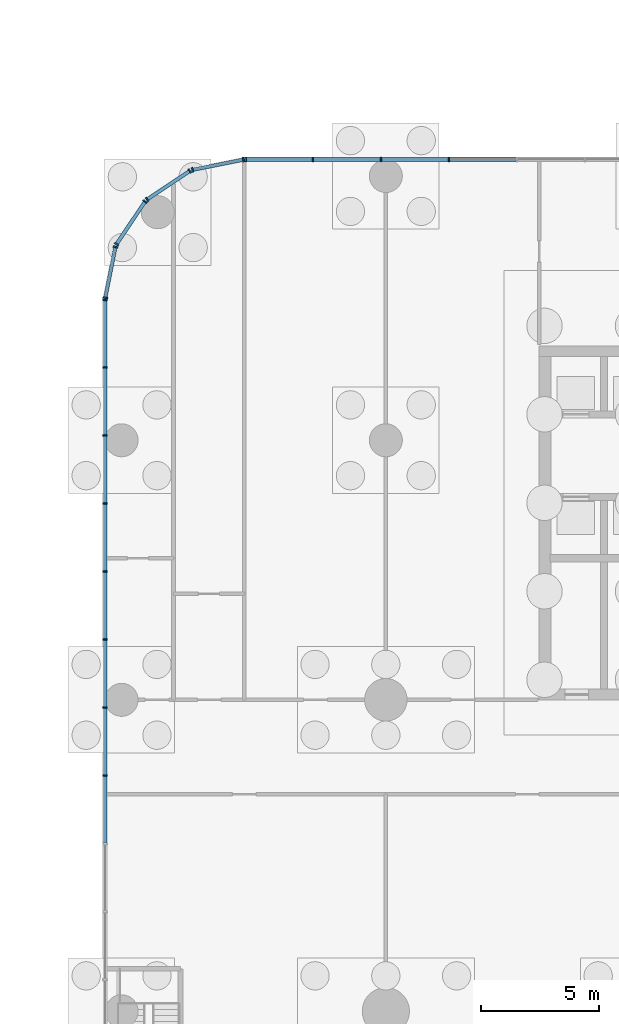
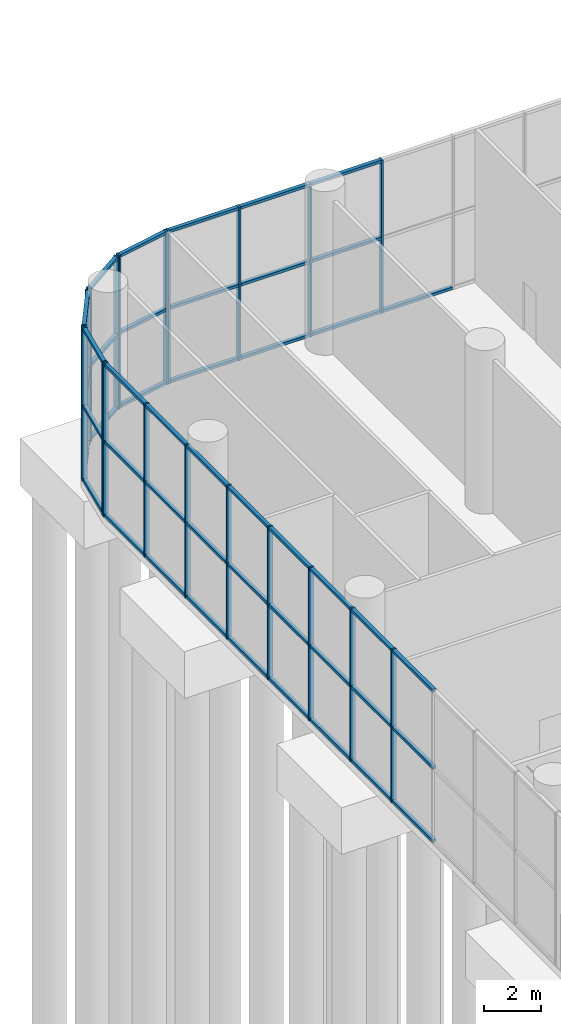
# One storey, part 7 of 26: 66 members, 6 elements without a shape of their own.
"""IFC4 building model written with IfcOpenShell, lengths in metres."""

from ifc_helpers import new_model, si_unit, direction, frame, origin, origin_2d, place, context, subcontext, project, spatial, rectangle, extrude, material, layer, layer_set, material_profile, profile_set, type_object, element, aggregate, save


model = new_model("IFC4")

# Units and contexts
model_context = context("Model", 3, precision=1e-05, world=origin(), true_north=direction((0.0, 1.0)))
body_context = subcontext(model_context, "Body", "Model", "MODEL_VIEW")
ifc_project = project(units=[si_unit("LENGTHUNIT", "METRE"), si_unit("AREAUNIT", "SQUARE_METRE"), si_unit("VOLUMEUNIT", "CUBIC_METRE"), si_unit("PLANEANGLEUNIT", "RADIAN"), si_unit("MASSUNIT", "GRAM", prefix="KILO")], contexts=[model_context])

# Site, building, storey
site_placement = place(None, origin())
site = spatial("IfcSite", under=ifc_project, at=site_placement, CompositionType="ELEMENT")
building_placement = place(site_placement, origin())
building = spatial("IfcBuilding", under=site, at=building_placement, Name="Torana Hotel and Residences", CompositionType="ELEMENT")
storey_placement = place(building_placement, origin())
storey = spatial("IfcBuildingStorey", under=building, at=storey_placement, Name="L00", CompositionType="ELEMENT", Elevation=0.0)

# Curtain wall, members
ifc_material_1 = material(Name="Dark anodised aluminium", Category="aluminium")
ifc_layer = layer(ifc_material_1, 0.199951171875)
ifc_layer_set = layer_set([ifc_layer], Name="CW1 PODIUM SHOPFRONT CURTAIN WALL")
curtain_wall_type = type_object("IfcCurtainWallType", Name="CW1 PODIUM SHOPFRONT CURTAIN WALL", PredefinedType="NOTDEFINED", material=ifc_layer_set)
curtain_wall_1_placement = place(storey_placement, origin())
curtain_wall_1 = element("IfcCurtainWall", 1, at=curtain_wall_1_placement, inside=storey, type_object=curtain_wall_type, Name="Curtain wall CW1 L00 e0.2-1", PredefinedType="NOTDEFINED")
ifc_material_2 = material(Name="Dark anodised aluminium", Category="aluminium")
ifc_material_profile_1 = material_profile(ifc_material_2, rectangle(XDim=0.199951171875, YDim=0.070068359375, at=origin_2d()), Name="CW1 MULLION 70x200")
ifc_profile_set_1 = profile_set([ifc_material_profile_1], Name="Dark anodised aluminium")
member_type_1 = type_object("IfcMemberType", Name="CW1 MULLION 70x200", PredefinedType="MULLION", material=ifc_profile_set_1)
member_1_placement = place(storey_placement, frame((-33.322998046875, 7.89990234375, 0.0), z_axis=(0.0, 0.0, 1.0), x_axis=(0.0, -1.0, 0.0)))
member_1 = element("IfcMember", 2, at=member_1_placement, type_object=member_type_1, Name="CW1 mullion 9", PredefinedType="MULLION", context=body_context, shape_type="SweptSolid", body=[
    extrude(rectangle(XDim=0.199951171875, YDim=0.070068359375, at=origin_2d()), origin(), (0.0, 0.0, 1.0), 6.550048828125),
])
member_2_placement = place(storey_placement, frame((-36.20703125, 7.89990234375, 0.0), z_axis=(0.0, 0.0, 1.0), x_axis=(0.0, -1.0, 0.0)))
member_2 = element("IfcMember", 3, at=member_2_placement, type_object=member_type_1, Name="CW1 mullion 10", PredefinedType="MULLION", context=body_context, shape_type="SweptSolid", body=[
    extrude(rectangle(XDim=0.199951171875, YDim=0.070068359375, at=origin_2d()), origin(), (0.0, 0.0, 1.0), 6.550048828125),
])
member_3_placement = place(storey_placement, frame((-39.09130859375, 7.89990234375, 0.0), z_axis=(0.0, 0.0, 1.0), x_axis=(0.0, -1.0, 0.0)))
member_3 = element("IfcMember", 4, at=member_3_placement, type_object=member_type_1, Name="CW1 mullion 11", PredefinedType="MULLION", context=body_context, shape_type="SweptSolid", body=[
    extrude(rectangle(XDim=0.199951171875, YDim=0.070068359375, at=origin_2d()), origin(), (0.0, 0.0, 1.0), 6.550048828125),
])
member_4_placement = place(storey_placement, frame((-41.9404296875, 7.89990234375, 0.0), z_axis=(0.0, 0.0, 1.0), x_axis=(0.0, -1.0, 0.0)))
member_4 = element("IfcMember", 5, at=member_4_placement, type_object=member_type_1, Name="CW1 mullion 12", PredefinedType="MULLION", context=body_context, shape_type="SweptSolid", body=[
    extrude(rectangle(XDim=0.199951171875, YDim=0.070068359375, at=origin_2d()), origin(), (0.0, 0.0, 1.0), 6.550048828125),
])

curtain_wall_2_placement = place(storey_placement, origin())
curtain_wall_2 = element("IfcCurtainWall", 6, at=curtain_wall_2_placement, inside=storey, type_object=curtain_wall_type, Name="Curtain wall CW1 L00 e0.3-1", PredefinedType="NOTDEFINED")
member_5_placement = place(storey_placement, frame((-42.038818359375, 7.890380859375, 0.0), z_axis=(0.0, 0.0, 1.0), x_axis=(0.195080996415, -0.980787135335, 0.0)))
member_5 = element("IfcMember", 7, at=member_5_placement, type_object=member_type_1, Name="CW1 mullion 1", PredefinedType="MULLION", context=body_context, shape_type="SweptSolid", body=[
    extrude(rectangle(XDim=0.199951171875, YDim=0.070068359375, at=origin_2d()), origin(), (0.0, 0.0, 1.0), 6.550048828125),
])
member_6_placement = place(storey_placement, frame((-44.193359375, 7.461669921875, 0.0), z_axis=(0.0, 0.0, 1.0), x_axis=(0.195080996415, -0.980787135335, 0.0)))
member_6 = element("IfcMember", 8, at=member_6_placement, type_object=member_type_1, Name="CW1 mullion 2", PredefinedType="MULLION", context=body_context, shape_type="SweptSolid", body=[
    extrude(rectangle(XDim=0.199951171875, YDim=0.070068359375, at=origin_2d()), origin(), (0.0, 0.0, 1.0), 6.550048828125),
])

curtain_wall_3_placement = place(storey_placement, origin())
curtain_wall_3 = element("IfcCurtainWall", 9, at=curtain_wall_3_placement, inside=storey, type_object=curtain_wall_type, Name="Curtain wall CW1 L00 e0.4-1", PredefinedType="NOTDEFINED")
member_7_placement = place(storey_placement, frame((-44.31103515625, 7.4130859375, 0.0), z_axis=(0.0, 0.0, 1.0), x_axis=(0.555585238723, -0.831459585616, 0.0)))
member_7 = element("IfcMember", 10, at=member_7_placement, type_object=member_type_1, Name="CW1 mullion 1", PredefinedType="MULLION", context=body_context, shape_type="SweptSolid", body=[
    extrude(rectangle(XDim=0.199951171875, YDim=0.070068359375, at=origin_2d()), origin(), (0.0, 0.0, 1.0), 6.550048828125),
])
member_8_placement = place(storey_placement, frame((-46.11669921875, 6.20654296875, 0.0), z_axis=(0.0, 0.0, 1.0), x_axis=(0.555585238723, -0.831459585616, 0.0)))
member_8 = element("IfcMember", 11, at=member_8_placement, type_object=member_type_1, Name="CW1 mullion 2", PredefinedType="MULLION", context=body_context, shape_type="SweptSolid", body=[
    extrude(rectangle(XDim=0.199951171875, YDim=0.070068359375, at=origin_2d()), origin(), (0.0, 0.0, 1.0), 6.550048828125),
])

curtain_wall_4_placement = place(storey_placement, origin())
curtain_wall_4 = element("IfcCurtainWall", 12, at=curtain_wall_4_placement, inside=storey, type_object=curtain_wall_type, Name="Curtain wall CW1 L00 e0.5-1", PredefinedType="NOTDEFINED")
member_9_placement = place(storey_placement, frame((-46.20654296875, 6.11669921875, 0.0), z_axis=(0.0, 0.0, 1.0), x_axis=(0.831459585616, -0.555585238723, 0.0)))
member_9 = element("IfcMember", 13, at=member_9_placement, type_object=member_type_1, Name="CW1 mullion 1", PredefinedType="MULLION", context=body_context, shape_type="SweptSolid", body=[
    extrude(rectangle(XDim=0.199951171875, YDim=0.070068359375, at=origin_2d()), origin(), (0.0, 0.0, 1.0), 6.550048828125),
])
member_10_placement = place(storey_placement, frame((-47.4130859375, 4.31103515625, 0.0), z_axis=(0.0, 0.0, 1.0), x_axis=(0.831459585616, -0.555585238723, 0.0)))
member_10 = element("IfcMember", 14, at=member_10_placement, type_object=member_type_1, Name="CW1 mullion 2", PredefinedType="MULLION", context=body_context, shape_type="SweptSolid", body=[
    extrude(rectangle(XDim=0.199951171875, YDim=0.070068359375, at=origin_2d()), origin(), (0.0, 0.0, 1.0), 6.550048828125),
])

curtain_wall_5_placement = place(storey_placement, origin())
curtain_wall_5 = element("IfcCurtainWall", 15, at=curtain_wall_5_placement, inside=storey, type_object=curtain_wall_type, Name="Curtain wall CW1 L00 e0.6-1", PredefinedType="NOTDEFINED")
member_11_placement = place(storey_placement, frame((-47.461669921875, 4.193359375, 0.0), z_axis=(0.0, 0.0, 1.0), x_axis=(0.980787135335, -0.195080996415, 0.0)))
member_11 = element("IfcMember", 16, at=member_11_placement, type_object=member_type_1, Name="CW1 mullion 1", PredefinedType="MULLION", context=body_context, shape_type="SweptSolid", body=[
    extrude(rectangle(XDim=0.199951171875, YDim=0.070068359375, at=origin_2d()), origin(), (0.0, 0.0, 1.0), 6.550048828125),
])
member_12_placement = place(storey_placement, frame((-47.890380859375, 2.038818359375, 0.0), z_axis=(0.0, 0.0, 1.0), x_axis=(0.980787135335, -0.195080996415, 0.0)))
member_12 = element("IfcMember", 17, at=member_12_placement, type_object=member_type_1, Name="CW1 mullion 2", PredefinedType="MULLION", context=body_context, shape_type="SweptSolid", body=[
    extrude(rectangle(XDim=0.199951171875, YDim=0.070068359375, at=origin_2d()), origin(), (0.0, 0.0, 1.0), 6.550048828125),
])

curtain_wall_6_placement = place(storey_placement, origin())
curtain_wall_6 = element("IfcCurtainWall", 18, at=curtain_wall_6_placement, inside=storey, type_object=curtain_wall_type, Name="Curtain wall CW1 L00 e0.7-1", PredefinedType="NOTDEFINED")
member_13_placement = place(storey_placement, frame((-47.89990234375, 1.9404296875, 0.0), z_axis=(0.0, 0.0, 1.0), x_axis=(1.0, 0.0, 0.0)))
member_13 = element("IfcMember", 19, at=member_13_placement, type_object=member_type_1, Name="CW1 mullion 1", PredefinedType="MULLION", context=body_context, shape_type="SweptSolid", body=[
    extrude(rectangle(XDim=0.199951171875, YDim=0.070068359375, at=origin_2d()), origin(), (0.0, 0.0, 1.0), 6.550048828125),
])
member_14_placement = place(storey_placement, frame((-47.89990234375, -0.90869140625, 0.0), z_axis=(0.0, 0.0, 1.0), x_axis=(1.0, 0.0, 0.0)))
member_14 = element("IfcMember", 20, at=member_14_placement, type_object=member_type_1, Name="CW1 mullion 2", PredefinedType="MULLION", context=body_context, shape_type="SweptSolid", body=[
    extrude(rectangle(XDim=0.199951171875, YDim=0.070068359375, at=origin_2d()), origin(), (0.0, 0.0, 1.0), 6.550048828125),
])
member_15_placement = place(storey_placement, frame((-47.89990234375, -3.79296875, 0.0), z_axis=(0.0, 0.0, 1.0), x_axis=(1.0, 0.0, 0.0)))
member_15 = element("IfcMember", 21, at=member_15_placement, type_object=member_type_1, Name="CW1 mullion 3", PredefinedType="MULLION", context=body_context, shape_type="SweptSolid", body=[
    extrude(rectangle(XDim=0.199951171875, YDim=0.070068359375, at=origin_2d()), origin(), (0.0, 0.0, 1.0), 6.550048828125),
])
member_16_placement = place(storey_placement, frame((-47.89990234375, -6.677001953125, 0.0), z_axis=(0.0, 0.0, 1.0), x_axis=(1.0, 0.0, 0.0)))
member_16 = element("IfcMember", 22, at=member_16_placement, type_object=member_type_1, Name="CW1 mullion 4", PredefinedType="MULLION", context=body_context, shape_type="SweptSolid", body=[
    extrude(rectangle(XDim=0.199951171875, YDim=0.070068359375, at=origin_2d()), origin(), (0.0, 0.0, 1.0), 6.550048828125),
])
member_17_placement = place(storey_placement, frame((-47.89990234375, -9.56103515625, 0.0), z_axis=(0.0, 0.0, 1.0), x_axis=(1.0, 0.0, 0.0)))
member_17 = element("IfcMember", 23, at=member_17_placement, type_object=member_type_1, Name="CW1 mullion 5", PredefinedType="MULLION", context=body_context, shape_type="SweptSolid", body=[
    extrude(rectangle(XDim=0.199951171875, YDim=0.070068359375, at=origin_2d()), origin(), (0.0, 0.0, 1.0), 6.550048828125),
])
member_18_placement = place(storey_placement, frame((-47.89990234375, -12.4453125, 0.0), z_axis=(0.0, 0.0, 1.0), x_axis=(1.0, 0.0, 0.0)))
member_18 = element("IfcMember", 24, at=member_18_placement, type_object=member_type_1, Name="CW1 mullion 6", PredefinedType="MULLION", context=body_context, shape_type="SweptSolid", body=[
    extrude(rectangle(XDim=0.199951171875, YDim=0.070068359375, at=origin_2d()), origin(), (0.0, 0.0, 1.0), 6.550048828125),
])
member_19_placement = place(storey_placement, frame((-47.89990234375, -15.329345703125, 0.0), z_axis=(0.0, 0.0, 1.0), x_axis=(1.0, 0.0, 0.0)))
member_19 = element("IfcMember", 25, at=member_19_placement, type_object=member_type_1, Name="CW1 mullion 7", PredefinedType="MULLION", context=body_context, shape_type="SweptSolid", body=[
    extrude(rectangle(XDim=0.199951171875, YDim=0.070068359375, at=origin_2d()), origin(), (0.0, 0.0, 1.0), 6.550048828125),
])
member_20_placement = place(storey_placement, frame((-47.89990234375, -18.21337890625, 0.0), z_axis=(0.0, 0.0, 1.0), x_axis=(1.0, 0.0, 0.0)))
member_20 = element("IfcMember", 26, at=member_20_placement, type_object=member_type_1, Name="CW1 mullion 8", PredefinedType="MULLION", context=body_context, shape_type="SweptSolid", body=[
    extrude(rectangle(XDim=0.199951171875, YDim=0.070068359375, at=origin_2d()), origin(), (0.0, 0.0, 1.0), 6.550048828125),
])

# Member
ifc_material_3 = material(Name="Dark anodised aluminium", Category="aluminium")
ifc_material_profile_2 = material_profile(ifc_material_3, rectangle(XDim=0.14990234375, YDim=0.1201171875, at=origin_2d()), Name="CW1 TRANSOM 150x120")
ifc_profile_set_2 = profile_set([ifc_material_profile_2], Name="Dark anodised aluminium")
member_type_2 = type_object("IfcMemberType", Name="CW1 TRANSOM 150x120", PredefinedType="USERDEFINED", material=ifc_profile_set_2)
member_21_placement = place(storey_placement, frame((-30.473876953125, 7.89990234375, 0.06005859375), z_axis=(-1.0, 0.0, 0.0), x_axis=(0.0, -1.0, 0.0)))
member_21 = element("IfcMember", 27, at=member_21_placement, type_object=member_type_2, Name="CW1 transom 8.1", ObjectType="TRANSOM", PredefinedType="USERDEFINED", context=body_context, shape_type="SweptSolid", body=[
    extrude(rectangle(XDim=0.14990234375, YDim=0.1201171875, at=origin_2d()), origin(), (0.0, 0.0, 1.0), 2.814208984375),
])

member_22_placement = place(storey_placement, frame((-33.35791015625, 7.89990234375, 0.06005859375), z_axis=(-1.0, 0.0, 0.0), x_axis=(0.0, -1.0, 0.0)))
member_22 = element("IfcMember", 28, at=member_22_placement, type_object=member_type_2, Name="CW1 transom 9.1", ObjectType="TRANSOM", PredefinedType="USERDEFINED", context=body_context, shape_type="SweptSolid", body=[
    extrude(rectangle(XDim=0.14990234375, YDim=0.1201171875, at=origin_2d()), origin(), (0.0, 0.0, 1.0), 2.814208984375),
])

member_23_placement = place(storey_placement, frame((-33.35791015625, 7.89990234375, 3.199951171875), z_axis=(-1.0, 0.0, 0.0), x_axis=(0.0, -1.0, 0.0)))
member_23 = element("IfcMember", 29, at=member_23_placement, type_object=member_type_2, Name="CW1 transom 9.2", ObjectType="TRANSOM", PredefinedType="USERDEFINED", context=body_context, shape_type="SweptSolid", body=[
    extrude(rectangle(XDim=0.14990234375, YDim=0.1201171875, at=origin_2d()), origin(), (0.0, 0.0, 1.0), 2.814208984375),
])

member_24_placement = place(storey_placement, frame((-33.35791015625, 7.89990234375, 6.489990234375), z_axis=(-1.0, 0.0, 0.0), x_axis=(0.0, -1.0, 0.0)))
member_24 = element("IfcMember", 30, at=member_24_placement, type_object=member_type_2, Name="CW1 transom 9.3", ObjectType="TRANSOM", PredefinedType="USERDEFINED", context=body_context, shape_type="SweptSolid", body=[
    extrude(rectangle(XDim=0.14990234375, YDim=0.1201171875, at=origin_2d()), origin(), (0.0, 0.0, 1.0), 2.814208984375),
])

member_25_placement = place(storey_placement, frame((-36.2421875, 7.89990234375, 0.06005859375), z_axis=(-1.0, 0.0, 0.0), x_axis=(0.0, -1.0, 0.0)))
member_25 = element("IfcMember", 31, at=member_25_placement, type_object=member_type_2, Name="CW1 transom 10.1", ObjectType="TRANSOM", PredefinedType="USERDEFINED", context=body_context, shape_type="SweptSolid", body=[
    extrude(rectangle(XDim=0.14990234375, YDim=0.1201171875, at=origin_2d()), origin(), (0.0, 0.0, 1.0), 2.81396484375),
])

member_26_placement = place(storey_placement, frame((-36.2421875, 7.89990234375, 3.199951171875), z_axis=(-1.0, 0.0, 0.0), x_axis=(0.0, -1.0, 0.0)))
member_26 = element("IfcMember", 32, at=member_26_placement, type_object=member_type_2, Name="CW1 transom 10.2", ObjectType="TRANSOM", PredefinedType="USERDEFINED", context=body_context, shape_type="SweptSolid", body=[
    extrude(rectangle(XDim=0.14990234375, YDim=0.1201171875, at=origin_2d()), origin(), (0.0, 0.0, 1.0), 2.81396484375),
])

member_27_placement = place(storey_placement, frame((-36.2421875, 7.89990234375, 6.489990234375), z_axis=(-1.0, 0.0, 0.0), x_axis=(0.0, -1.0, 0.0)))
member_27 = element("IfcMember", 33, at=member_27_placement, type_object=member_type_2, Name="CW1 transom 10.3", ObjectType="TRANSOM", PredefinedType="USERDEFINED", context=body_context, shape_type="SweptSolid", body=[
    extrude(rectangle(XDim=0.14990234375, YDim=0.1201171875, at=origin_2d()), origin(), (0.0, 0.0, 1.0), 2.81396484375),
])

member_28_placement = place(storey_placement, frame((-39.126220703125, 7.89990234375, 0.06005859375), z_axis=(-1.0, 0.0, 0.0), x_axis=(0.0, -1.0, 0.0)))
member_28 = element("IfcMember", 34, at=member_28_placement, type_object=member_type_2, Name="CW1 transom 11.1", ObjectType="TRANSOM", PredefinedType="USERDEFINED", context=body_context, shape_type="SweptSolid", body=[
    extrude(rectangle(XDim=0.14990234375, YDim=0.1201171875, at=origin_2d()), origin(), (0.0, 0.0, 1.0), 2.779296875),
])

member_29_placement = place(storey_placement, frame((-39.126220703125, 7.89990234375, 3.199951171875), z_axis=(-1.0, 0.0, 0.0), x_axis=(0.0, -1.0, 0.0)))
member_29 = element("IfcMember", 35, at=member_29_placement, type_object=member_type_2, Name="CW1 transom 11.2", ObjectType="TRANSOM", PredefinedType="USERDEFINED", context=body_context, shape_type="SweptSolid", body=[
    extrude(rectangle(XDim=0.14990234375, YDim=0.1201171875, at=origin_2d()), origin(), (0.0, 0.0, 1.0), 2.779296875),
])

member_30_placement = place(storey_placement, frame((-39.126220703125, 7.89990234375, 6.489990234375), z_axis=(-1.0, 0.0, 0.0), x_axis=(0.0, -1.0, 0.0)))
member_30 = element("IfcMember", 36, at=member_30_placement, type_object=member_type_2, Name="CW1 transom 11.3", ObjectType="TRANSOM", PredefinedType="USERDEFINED", context=body_context, shape_type="SweptSolid", body=[
    extrude(rectangle(XDim=0.14990234375, YDim=0.1201171875, at=origin_2d()), origin(), (0.0, 0.0, 1.0), 2.779296875),
])

aggregate(curtain_wall_1, [member_1, member_2, member_3, member_4, member_21, member_22, member_23, member_24, member_25, member_26, member_27, member_28, member_29, member_30])

member_31_placement = place(storey_placement, frame((-42.0732421875, 7.883544921875, 0.06005859375), z_axis=(-0.980774456351, -0.195144730313, 0.0), x_axis=(0.195144730313, -0.980774456351, 0.0)))
member_31 = element("IfcMember", 37, at=member_31_placement, type_object=member_type_2, Name="CW1 transom 1.1", ObjectType="TRANSOM", PredefinedType="USERDEFINED", context=body_context, shape_type="SweptSolid", body=[
    extrude(rectangle(XDim=0.14990234375, YDim=0.1201171875, at=origin_2d()), origin(), (0.0, 0.0, 1.0), 2.126708984375),
])

member_32_placement = place(storey_placement, frame((-42.0732421875, 7.883544921875, 3.199951171875), z_axis=(-0.980774456351, -0.195144730313, 0.0), x_axis=(0.195144730313, -0.980774456351, 0.0)))
member_32 = element("IfcMember", 38, at=member_32_placement, type_object=member_type_2, Name="CW1 transom 1.2", ObjectType="TRANSOM", PredefinedType="USERDEFINED", context=body_context, shape_type="SweptSolid", body=[
    extrude(rectangle(XDim=0.14990234375, YDim=0.1201171875, at=origin_2d()), origin(), (0.0, 0.0, 1.0), 2.126708984375),
])

member_33_placement = place(storey_placement, frame((-42.0732421875, 7.883544921875, 6.489990234375), z_axis=(-0.980774456351, -0.195144730313, 0.0), x_axis=(0.195144730313, -0.980774456351, 0.0)))
member_33 = element("IfcMember", 39, at=member_33_placement, type_object=member_type_2, Name="CW1 transom 1.3", ObjectType="TRANSOM", PredefinedType="USERDEFINED", context=body_context, shape_type="SweptSolid", body=[
    extrude(rectangle(XDim=0.14990234375, YDim=0.1201171875, at=origin_2d()), origin(), (0.0, 0.0, 1.0), 2.126708984375),
])

aggregate(curtain_wall_2, [member_5, member_6, member_31, member_32, member_33])

member_34_placement = place(storey_placement, frame((-44.340087890625, 7.3935546875, 0.06005859375), z_axis=(-0.83147790434, -0.555557822908, 0.0), x_axis=(0.555557822908, -0.83147790434, 0.0)))
member_34 = element("IfcMember", 40, at=member_34_placement, type_object=member_type_2, Name="CW1 transom 1.1", ObjectType="TRANSOM", PredefinedType="USERDEFINED", context=body_context, shape_type="SweptSolid", body=[
    extrude(rectangle(XDim=0.14990234375, YDim=0.1201171875, at=origin_2d()), origin(), (0.0, 0.0, 1.0), 2.1015625),
])

member_35_placement = place(storey_placement, frame((-44.340087890625, 7.3935546875, 3.199951171875), z_axis=(-0.83147790434, -0.555557822908, 0.0), x_axis=(0.555557822908, -0.83147790434, 0.0)))
member_35 = element("IfcMember", 41, at=member_35_placement, type_object=member_type_2, Name="CW1 transom 1.2", ObjectType="TRANSOM", PredefinedType="USERDEFINED", context=body_context, shape_type="SweptSolid", body=[
    extrude(rectangle(XDim=0.14990234375, YDim=0.1201171875, at=origin_2d()), origin(), (0.0, 0.0, 1.0), 2.1015625),
])

member_36_placement = place(storey_placement, frame((-44.340087890625, 7.3935546875, 6.489990234375), z_axis=(-0.83147790434, -0.555557822908, 0.0), x_axis=(0.555557822908, -0.83147790434, 0.0)))
member_36 = element("IfcMember", 42, at=member_36_placement, type_object=member_type_2, Name="CW1 transom 1.3", ObjectType="TRANSOM", PredefinedType="USERDEFINED", context=body_context, shape_type="SweptSolid", body=[
    extrude(rectangle(XDim=0.14990234375, YDim=0.1201171875, at=origin_2d()), origin(), (0.0, 0.0, 1.0), 2.1015625),
])

aggregate(curtain_wall_3, [member_7, member_8, member_34, member_35, member_36])

member_37_placement = place(storey_placement, frame((-46.22607421875, 6.08740234375, 0.06005859375), z_axis=(-0.555557822908, -0.83147790434, 0.0), x_axis=(0.83147790434, -0.555557822908, 0.0)))
member_37 = element("IfcMember", 43, at=member_37_placement, type_object=member_type_2, Name="CW1 transom 1.1", ObjectType="TRANSOM", PredefinedType="USERDEFINED", context=body_context, shape_type="SweptSolid", body=[
    extrude(rectangle(XDim=0.14990234375, YDim=0.1201171875, at=origin_2d()), origin(), (0.0, 0.0, 1.0), 2.1015625),
])

member_38_placement = place(storey_placement, frame((-46.22607421875, 6.08740234375, 3.199951171875), z_axis=(-0.555557822908, -0.83147790434, 0.0), x_axis=(0.83147790434, -0.555557822908, 0.0)))
member_38 = element("IfcMember", 44, at=member_38_placement, type_object=member_type_2, Name="CW1 transom 1.2", ObjectType="TRANSOM", PredefinedType="USERDEFINED", context=body_context, shape_type="SweptSolid", body=[
    extrude(rectangle(XDim=0.14990234375, YDim=0.1201171875, at=origin_2d()), origin(), (0.0, 0.0, 1.0), 2.1015625),
])

member_39_placement = place(storey_placement, frame((-46.22607421875, 6.08740234375, 6.489990234375), z_axis=(-0.555557822908, -0.83147790434, 0.0), x_axis=(0.83147790434, -0.555557822908, 0.0)))
member_39 = element("IfcMember", 45, at=member_39_placement, type_object=member_type_2, Name="CW1 transom 1.3", ObjectType="TRANSOM", PredefinedType="USERDEFINED", context=body_context, shape_type="SweptSolid", body=[
    extrude(rectangle(XDim=0.14990234375, YDim=0.1201171875, at=origin_2d()), origin(), (0.0, 0.0, 1.0), 2.1015625),
])

aggregate(curtain_wall_4, [member_9, member_10, member_37, member_38, member_39])

member_40_placement = place(storey_placement, frame((-47.468505859375, 4.1591796875, 0.06005859375), z_axis=(-0.195144730313, -0.980774456351, 0.0), x_axis=(0.980774456351, -0.195144730313, 0.0)))
member_40 = element("IfcMember", 46, at=member_40_placement, type_object=member_type_2, Name="CW1 transom 1.1", ObjectType="TRANSOM", PredefinedType="USERDEFINED", context=body_context, shape_type="SweptSolid", body=[
    extrude(rectangle(XDim=0.14990234375, YDim=0.1201171875, at=origin_2d()), origin(), (0.0, 0.0, 1.0), 2.126708984375),
])

member_41_placement = place(storey_placement, frame((-47.468505859375, 4.1591796875, 3.199951171875), z_axis=(-0.195144730313, -0.980774456351, 0.0), x_axis=(0.980774456351, -0.195144730313, 0.0)))
member_41 = element("IfcMember", 47, at=member_41_placement, type_object=member_type_2, Name="CW1 transom 1.2", ObjectType="TRANSOM", PredefinedType="USERDEFINED", context=body_context, shape_type="SweptSolid", body=[
    extrude(rectangle(XDim=0.14990234375, YDim=0.1201171875, at=origin_2d()), origin(), (0.0, 0.0, 1.0), 2.126708984375),
])

member_42_placement = place(storey_placement, frame((-47.468505859375, 4.1591796875, 6.489990234375), z_axis=(-0.195144730313, -0.980774456351, 0.0), x_axis=(0.980774456351, -0.195144730313, 0.0)))
member_42 = element("IfcMember", 48, at=member_42_placement, type_object=member_type_2, Name="CW1 transom 1.3", ObjectType="TRANSOM", PredefinedType="USERDEFINED", context=body_context, shape_type="SweptSolid", body=[
    extrude(rectangle(XDim=0.14990234375, YDim=0.1201171875, at=origin_2d()), origin(), (0.0, 0.0, 1.0), 2.126708984375),
])

aggregate(curtain_wall_5, [member_11, member_12, member_40, member_41, member_42])

member_43_placement = place(storey_placement, frame((-47.89990234375, 1.905517578125, 0.06005859375), z_axis=(0.0, -1.0, 0.0), x_axis=(1.0, 0.0, 0.0)))
member_43 = element("IfcMember", 49, at=member_43_placement, type_object=member_type_2, Name="CW1 transom 1.1", ObjectType="TRANSOM", PredefinedType="USERDEFINED", context=body_context, shape_type="SweptSolid", body=[
    extrude(rectangle(XDim=0.14990234375, YDim=0.1201171875, at=origin_2d()), origin(), (0.0, 0.0, 1.0), 2.779296875),
])

member_44_placement = place(storey_placement, frame((-47.89990234375, 1.905517578125, 3.199951171875), z_axis=(0.0, -1.0, 0.0), x_axis=(1.0, 0.0, 0.0)))
member_44 = element("IfcMember", 50, at=member_44_placement, type_object=member_type_2, Name="CW1 transom 1.2", ObjectType="TRANSOM", PredefinedType="USERDEFINED", context=body_context, shape_type="SweptSolid", body=[
    extrude(rectangle(XDim=0.14990234375, YDim=0.1201171875, at=origin_2d()), origin(), (0.0, 0.0, 1.0), 2.779296875),
])

member_45_placement = place(storey_placement, frame((-47.89990234375, 1.905517578125, 6.489990234375), z_axis=(0.0, -1.0, 0.0), x_axis=(1.0, 0.0, 0.0)))
member_45 = element("IfcMember", 51, at=member_45_placement, type_object=member_type_2, Name="CW1 transom 1.3", ObjectType="TRANSOM", PredefinedType="USERDEFINED", context=body_context, shape_type="SweptSolid", body=[
    extrude(rectangle(XDim=0.14990234375, YDim=0.1201171875, at=origin_2d()), origin(), (0.0, 0.0, 1.0), 2.779296875),
])

member_46_placement = place(storey_placement, frame((-47.89990234375, -0.94384765625, 0.06005859375), z_axis=(0.0, -1.0, 0.0), x_axis=(1.0, 0.0, 0.0)))
member_46 = element("IfcMember", 52, at=member_46_placement, type_object=member_type_2, Name="CW1 transom 2.1", ObjectType="TRANSOM", PredefinedType="USERDEFINED", context=body_context, shape_type="SweptSolid", body=[
    extrude(rectangle(XDim=0.14990234375, YDim=0.1201171875, at=origin_2d()), origin(), (0.0, 0.0, 1.0), 2.81396484375),
])

member_47_placement = place(storey_placement, frame((-47.89990234375, -0.94384765625, 3.199951171875), z_axis=(0.0, -1.0, 0.0), x_axis=(1.0, 0.0, 0.0)))
member_47 = element("IfcMember", 53, at=member_47_placement, type_object=member_type_2, Name="CW1 transom 2.2", ObjectType="TRANSOM", PredefinedType="USERDEFINED", context=body_context, shape_type="SweptSolid", body=[
    extrude(rectangle(XDim=0.14990234375, YDim=0.1201171875, at=origin_2d()), origin(), (0.0, 0.0, 1.0), 2.81396484375),
])

member_48_placement = place(storey_placement, frame((-47.89990234375, -0.94384765625, 6.489990234375), z_axis=(0.0, -1.0, 0.0), x_axis=(1.0, 0.0, 0.0)))
member_48 = element("IfcMember", 54, at=member_48_placement, type_object=member_type_2, Name="CW1 transom 2.3", ObjectType="TRANSOM", PredefinedType="USERDEFINED", context=body_context, shape_type="SweptSolid", body=[
    extrude(rectangle(XDim=0.14990234375, YDim=0.1201171875, at=origin_2d()), origin(), (0.0, 0.0, 1.0), 2.81396484375),
])

member_49_placement = place(storey_placement, frame((-47.89990234375, -3.827880859375, 0.06005859375), z_axis=(0.0, -1.0, 0.0), x_axis=(1.0, 0.0, 0.0)))
member_49 = element("IfcMember", 55, at=member_49_placement, type_object=member_type_2, Name="CW1 transom 3.1", ObjectType="TRANSOM", PredefinedType="USERDEFINED", context=body_context, shape_type="SweptSolid", body=[
    extrude(rectangle(XDim=0.14990234375, YDim=0.1201171875, at=origin_2d()), origin(), (0.0, 0.0, 1.0), 2.814208984375),
])

member_50_placement = place(storey_placement, frame((-47.89990234375, -3.827880859375, 3.199951171875), z_axis=(0.0, -1.0, 0.0), x_axis=(1.0, 0.0, 0.0)))
member_50 = element("IfcMember", 56, at=member_50_placement, type_object=member_type_2, Name="CW1 transom 3.2", ObjectType="TRANSOM", PredefinedType="USERDEFINED", context=body_context, shape_type="SweptSolid", body=[
    extrude(rectangle(XDim=0.14990234375, YDim=0.1201171875, at=origin_2d()), origin(), (0.0, 0.0, 1.0), 2.814208984375),
])

member_51_placement = place(storey_placement, frame((-47.89990234375, -3.827880859375, 6.489990234375), z_axis=(0.0, -1.0, 0.0), x_axis=(1.0, 0.0, 0.0)))
member_51 = element("IfcMember", 57, at=member_51_placement, type_object=member_type_2, Name="CW1 transom 3.3", ObjectType="TRANSOM", PredefinedType="USERDEFINED", context=body_context, shape_type="SweptSolid", body=[
    extrude(rectangle(XDim=0.14990234375, YDim=0.1201171875, at=origin_2d()), origin(), (0.0, 0.0, 1.0), 2.814208984375),
])

member_52_placement = place(storey_placement, frame((-47.89990234375, -6.7119140625, 0.06005859375), z_axis=(0.0, -1.0, 0.0), x_axis=(1.0, 0.0, 0.0)))
member_52 = element("IfcMember", 58, at=member_52_placement, type_object=member_type_2, Name="CW1 transom 4.1", ObjectType="TRANSOM", PredefinedType="USERDEFINED", context=body_context, shape_type="SweptSolid", body=[
    extrude(rectangle(XDim=0.14990234375, YDim=0.1201171875, at=origin_2d()), origin(), (0.0, 0.0, 1.0), 2.814208984375),
])

member_53_placement = place(storey_placement, frame((-47.89990234375, -6.7119140625, 3.199951171875), z_axis=(0.0, -1.0, 0.0), x_axis=(1.0, 0.0, 0.0)))
member_53 = element("IfcMember", 59, at=member_53_placement, type_object=member_type_2, Name="CW1 transom 4.2", ObjectType="TRANSOM", PredefinedType="USERDEFINED", context=body_context, shape_type="SweptSolid", body=[
    extrude(rectangle(XDim=0.14990234375, YDim=0.1201171875, at=origin_2d()), origin(), (0.0, 0.0, 1.0), 2.814208984375),
])

member_54_placement = place(storey_placement, frame((-47.89990234375, -6.7119140625, 6.489990234375), z_axis=(0.0, -1.0, 0.0), x_axis=(1.0, 0.0, 0.0)))
member_54 = element("IfcMember", 60, at=member_54_placement, type_object=member_type_2, Name="CW1 transom 4.3", ObjectType="TRANSOM", PredefinedType="USERDEFINED", context=body_context, shape_type="SweptSolid", body=[
    extrude(rectangle(XDim=0.14990234375, YDim=0.1201171875, at=origin_2d()), origin(), (0.0, 0.0, 1.0), 2.814208984375),
])

member_55_placement = place(storey_placement, frame((-47.89990234375, -9.59619140625, 0.06005859375), z_axis=(0.0, -1.0, 0.0), x_axis=(1.0, 0.0, 0.0)))
member_55 = element("IfcMember", 61, at=member_55_placement, type_object=member_type_2, Name="CW1 transom 5.1", ObjectType="TRANSOM", PredefinedType="USERDEFINED", context=body_context, shape_type="SweptSolid", body=[
    extrude(rectangle(XDim=0.14990234375, YDim=0.1201171875, at=origin_2d()), origin(), (0.0, 0.0, 1.0), 2.81396484375),
])

member_56_placement = place(storey_placement, frame((-47.89990234375, -9.59619140625, 3.199951171875), z_axis=(0.0, -1.0, 0.0), x_axis=(1.0, 0.0, 0.0)))
member_56 = element("IfcMember", 62, at=member_56_placement, type_object=member_type_2, Name="CW1 transom 5.2", ObjectType="TRANSOM", PredefinedType="USERDEFINED", context=body_context, shape_type="SweptSolid", body=[
    extrude(rectangle(XDim=0.14990234375, YDim=0.1201171875, at=origin_2d()), origin(), (0.0, 0.0, 1.0), 2.81396484375),
])

member_57_placement = place(storey_placement, frame((-47.89990234375, -9.59619140625, 6.489990234375), z_axis=(0.0, -1.0, 0.0), x_axis=(1.0, 0.0, 0.0)))
member_57 = element("IfcMember", 63, at=member_57_placement, type_object=member_type_2, Name="CW1 transom 5.3", ObjectType="TRANSOM", PredefinedType="USERDEFINED", context=body_context, shape_type="SweptSolid", body=[
    extrude(rectangle(XDim=0.14990234375, YDim=0.1201171875, at=origin_2d()), origin(), (0.0, 0.0, 1.0), 2.81396484375),
])

member_58_placement = place(storey_placement, frame((-47.89990234375, -12.480224609375, 0.06005859375), z_axis=(0.0, -1.0, 0.0), x_axis=(1.0, 0.0, 0.0)))
member_58 = element("IfcMember", 64, at=member_58_placement, type_object=member_type_2, Name="CW1 transom 6.1", ObjectType="TRANSOM", PredefinedType="USERDEFINED", context=body_context, shape_type="SweptSolid", body=[
    extrude(rectangle(XDim=0.14990234375, YDim=0.1201171875, at=origin_2d()), origin(), (0.0, 0.0, 1.0), 2.814208984375),
])

member_59_placement = place(storey_placement, frame((-47.89990234375, -12.480224609375, 3.199951171875), z_axis=(0.0, -1.0, 0.0), x_axis=(1.0, 0.0, 0.0)))
member_59 = element("IfcMember", 65, at=member_59_placement, type_object=member_type_2, Name="CW1 transom 6.2", ObjectType="TRANSOM", PredefinedType="USERDEFINED", context=body_context, shape_type="SweptSolid", body=[
    extrude(rectangle(XDim=0.14990234375, YDim=0.1201171875, at=origin_2d()), origin(), (0.0, 0.0, 1.0), 2.814208984375),
])

member_60_placement = place(storey_placement, frame((-47.89990234375, -12.480224609375, 6.489990234375), z_axis=(0.0, -1.0, 0.0), x_axis=(1.0, 0.0, 0.0)))
member_60 = element("IfcMember", 66, at=member_60_placement, type_object=member_type_2, Name="CW1 transom 6.3", ObjectType="TRANSOM", PredefinedType="USERDEFINED", context=body_context, shape_type="SweptSolid", body=[
    extrude(rectangle(XDim=0.14990234375, YDim=0.1201171875, at=origin_2d()), origin(), (0.0, 0.0, 1.0), 2.814208984375),
])

member_61_placement = place(storey_placement, frame((-47.89990234375, -15.3642578125, 0.06005859375), z_axis=(0.0, -1.0, 0.0), x_axis=(1.0, 0.0, 0.0)))
member_61 = element("IfcMember", 67, at=member_61_placement, type_object=member_type_2, Name="CW1 transom 7.1", ObjectType="TRANSOM", PredefinedType="USERDEFINED", context=body_context, shape_type="SweptSolid", body=[
    extrude(rectangle(XDim=0.14990234375, YDim=0.1201171875, at=origin_2d()), origin(), (0.0, 0.0, 1.0), 2.814208984375),
])

member_62_placement = place(storey_placement, frame((-47.89990234375, -15.3642578125, 3.199951171875), z_axis=(0.0, -1.0, 0.0), x_axis=(1.0, 0.0, 0.0)))
member_62 = element("IfcMember", 68, at=member_62_placement, type_object=member_type_2, Name="CW1 transom 7.2", ObjectType="TRANSOM", PredefinedType="USERDEFINED", context=body_context, shape_type="SweptSolid", body=[
    extrude(rectangle(XDim=0.14990234375, YDim=0.1201171875, at=origin_2d()), origin(), (0.0, 0.0, 1.0), 2.814208984375),
])

member_63_placement = place(storey_placement, frame((-47.89990234375, -15.3642578125, 6.489990234375), z_axis=(0.0, -1.0, 0.0), x_axis=(1.0, 0.0, 0.0)))
member_63 = element("IfcMember", 69, at=member_63_placement, type_object=member_type_2, Name="CW1 transom 7.3", ObjectType="TRANSOM", PredefinedType="USERDEFINED", context=body_context, shape_type="SweptSolid", body=[
    extrude(rectangle(XDim=0.14990234375, YDim=0.1201171875, at=origin_2d()), origin(), (0.0, 0.0, 1.0), 2.814208984375),
])

member_64_placement = place(storey_placement, frame((-47.89990234375, -18.24853515625, 0.06005859375), z_axis=(0.0, -1.0, 0.0), x_axis=(1.0, 0.0, 0.0)))
member_64 = element("IfcMember", 70, at=member_64_placement, type_object=member_type_2, Name="CW1 transom 8.1", ObjectType="TRANSOM", PredefinedType="USERDEFINED", context=body_context, shape_type="SweptSolid", body=[
    extrude(rectangle(XDim=0.14990234375, YDim=0.1201171875, at=origin_2d()), origin(), (0.0, 0.0, 1.0), 2.81396484375),
])

member_65_placement = place(storey_placement, frame((-47.89990234375, -18.24853515625, 3.199951171875), z_axis=(0.0, -1.0, 0.0), x_axis=(1.0, 0.0, 0.0)))
member_65 = element("IfcMember", 71, at=member_65_placement, type_object=member_type_2, Name="CW1 transom 8.2", ObjectType="TRANSOM", PredefinedType="USERDEFINED", context=body_context, shape_type="SweptSolid", body=[
    extrude(rectangle(XDim=0.14990234375, YDim=0.1201171875, at=origin_2d()), origin(), (0.0, 0.0, 1.0), 2.81396484375),
])

member_66_placement = place(storey_placement, frame((-47.89990234375, -18.24853515625, 6.489990234375), z_axis=(0.0, -1.0, 0.0), x_axis=(1.0, 0.0, 0.0)))
member_66 = element("IfcMember", 72, at=member_66_placement, type_object=member_type_2, Name="CW1 transom 8.3", ObjectType="TRANSOM", PredefinedType="USERDEFINED", context=body_context, shape_type="SweptSolid", body=[
    extrude(rectangle(XDim=0.14990234375, YDim=0.1201171875, at=origin_2d()), origin(), (0.0, 0.0, 1.0), 2.81396484375),
])

aggregate(curtain_wall_6, [member_13, member_14, member_15, member_16, member_17, member_18, member_19, member_20, member_43, member_44, member_45, member_46, member_47, member_48, member_49, member_50, member_51, member_52, member_53, member_54, member_55, member_56, member_57, member_58, member_59, member_60, member_61, member_62, member_63, member_64, member_65, member_66])

save(model, "model.ifc")
